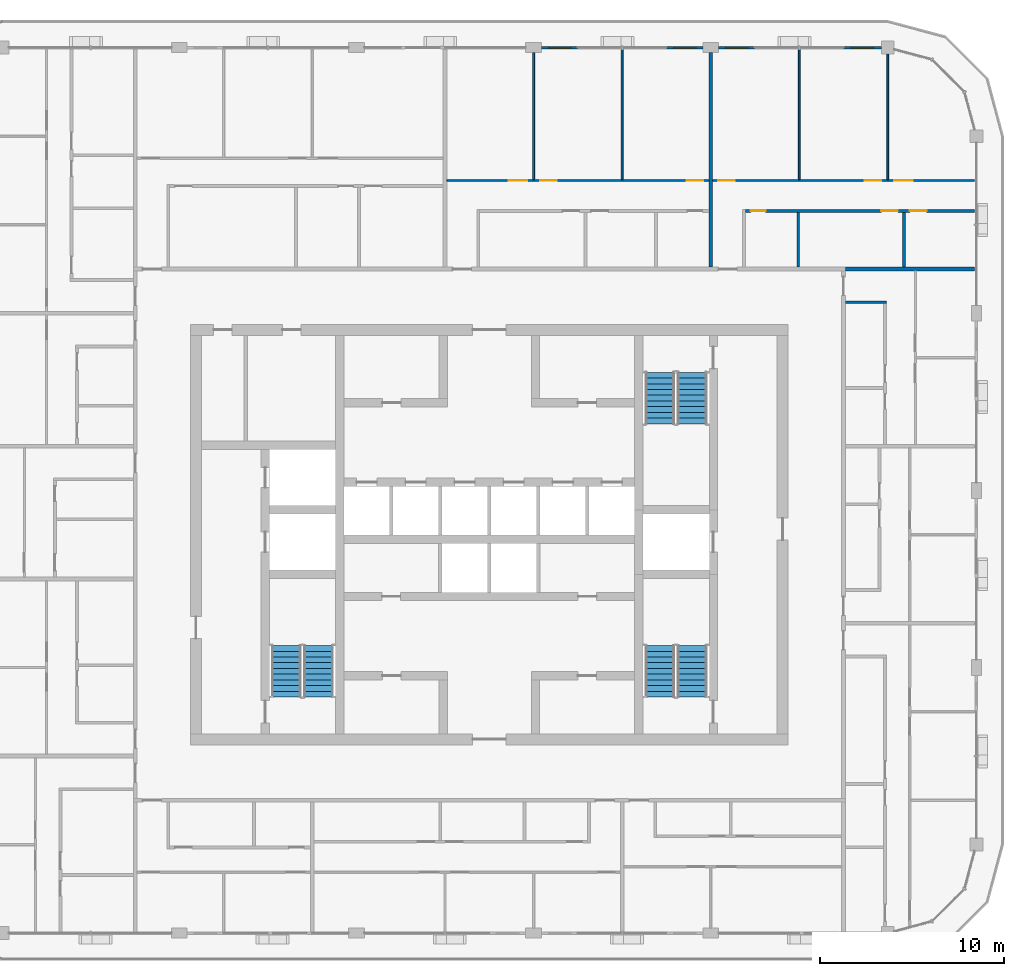
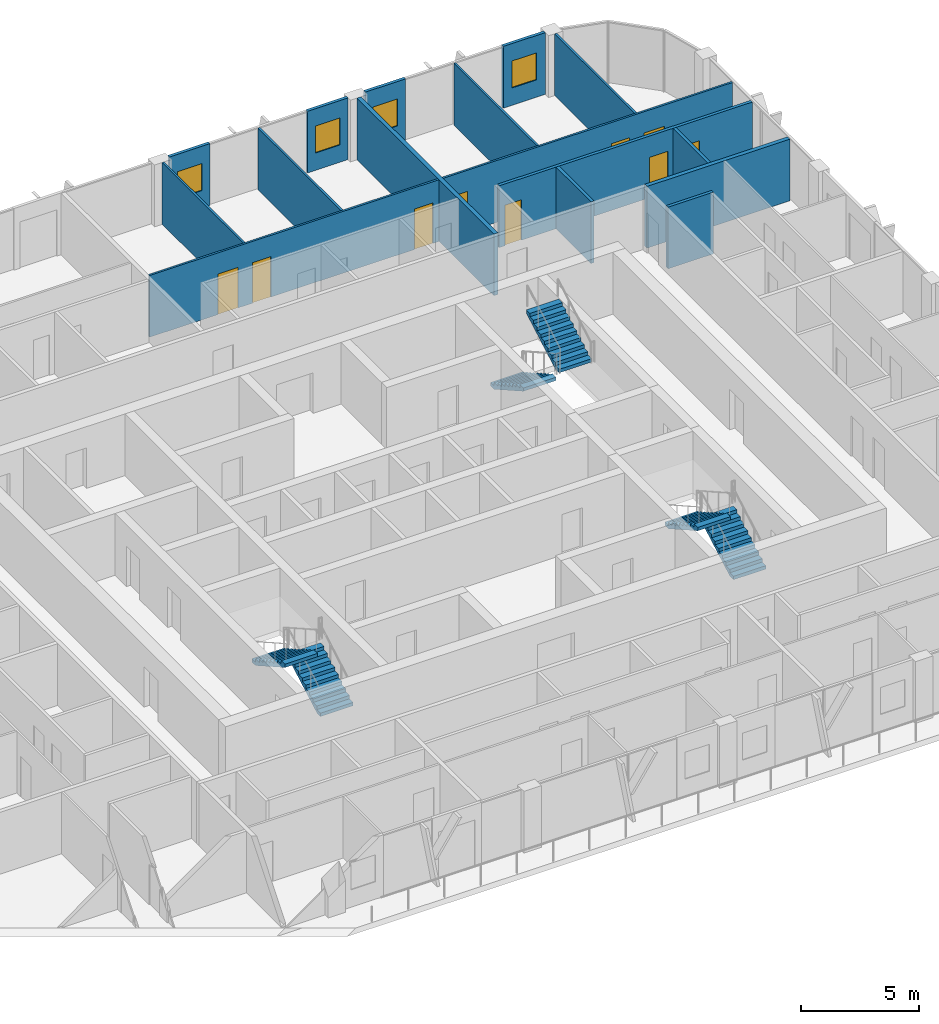
# One storey, part 15 of 21: 16 walls, 9 doors, 6 stair flights, 4 windows, 13 openings, 3 elements without a shape of their own.
"""IFC4 building model written with IfcOpenShell, lengths in metres."""

import ifcopenshell
import ifcopenshell.guid

model = None  # the IFC model being written
_history = None  # IfcOwnerHistory: only IFC2X3 demands one
_inside = {}  # id of a spatial element -> (the spatial element, [elements in it])
_under = {}  # id of a project, library or spatial element -> (it, [spatial elements below it])
_declared = {}  # id of a project -> (the project, [libraries it declares])
_typed = {}  # id of a type object -> (the type object, [elements of that type])
_made_of = {}  # id of a material, layer set ... -> (it, [elements and type objects made of it])


def new_model(schema):
    """Start an empty IFC model of exactly this schema.

    Asked for "IFC4X3", IfcOpenShell would pick the latest addendum, in which some entities
    have other attributes; the version numbers below select the first issue.
    IFC2X3 requires an IfcOwnerHistory on every rooted entity: one is made here for all.
    """
    global model, _history
    if schema == "IFC4X3":
        model = ifcopenshell.file(schema_version=(4, 3, 0, 0))
    else:
        model = ifcopenshell.file(schema=schema)
    _inside.clear()
    _under.clear()
    _declared.clear()
    _typed.clear()
    _made_of.clear()
    _history = None
    if model.schema == "IFC2X3":
        org = make("IfcOrganization", Name="unknown")
        user = make(
            "IfcPersonAndOrganization",
            ThePerson=make("IfcPerson", FamilyName="unknown"),
            TheOrganization=org,
        )
        app = make(
            "IfcApplication",
            ApplicationDeveloper=org,
            Version="unknown",
            ApplicationFullName="unknown",
            ApplicationIdentifier="unknown",
        )
        _history = make(
            "IfcOwnerHistory",
            OwningUser=user,
            OwningApplication=app,
            ChangeAction="ADDED",
            CreationDate=0,
        )
    return model


def make(cls, **values):
    """One entity of the class cls with the attributes given. An attribute that is None is left unset."""
    return model.create_entity(
        cls, **{name: value for name, value in values.items() if value is not None}
    )


def rooted(cls, **values):
    """An entity with a GlobalId (a new one), such as an element, a storey or a relation."""
    return make(cls, GlobalId=ifcopenshell.guid.new(), OwnerHistory=_history, **values)


def si_unit(unit_type, name, prefix=None):
    """IfcSIUnit, for example si_unit("LENGTHUNIT", "METRE", prefix="MILLI")."""
    return make("IfcSIUnit", UnitType=unit_type, Prefix=prefix, Name=name)


def assignment(units):
    """IfcUnitAssignment: the units of a project."""
    return None if units is None else make("IfcUnitAssignment", Units=units)


def point(xyz):
    """IfcCartesianPoint."""
    return None if xyz is None else make("IfcCartesianPoint", Coordinates=xyz)


def direction(xyz):
    """IfcDirection."""
    return None if xyz is None else make("IfcDirection", DirectionRatios=xyz)


def frame(location, z_axis=None, x_axis=None):
    """IfcAxis2Placement3D, a coordinate frame: its origin and axes. An axis left out is left unset."""
    return make(
        "IfcAxis2Placement3D",
        Location=point(location),
        Axis=direction(z_axis),
        RefDirection=direction(x_axis),
    )


def frame_2d(location, x_axis=None):
    """IfcAxis2Placement2D, a coordinate frame in the plane: its origin and x axis."""
    return make(
        "IfcAxis2Placement2D", Location=point(location), RefDirection=direction(x_axis)
    )


def origin():
    """The frame at (0, 0, 0) with its axes left unset."""
    return frame((0.0, 0.0, 0.0))


def place(relative_to, where):
    """IfcLocalPlacement: puts the frame where relative to a parent placement (None: the world)."""
    return make(
        "IfcLocalPlacement", PlacementRelTo=relative_to, RelativePlacement=where
    )


def context(
    kind, dimensions, precision=None, world=None, true_north=None, identifier=None
):
    """IfcGeometricRepresentationContext, for example the 3D "Model" context."""
    return make(
        "IfcGeometricRepresentationContext",
        ContextIdentifier=identifier,
        ContextType=kind,
        CoordinateSpaceDimension=dimensions,
        Precision=precision,
        WorldCoordinateSystem=world,
        TrueNorth=true_north,
    )


def subcontext(parent, identifier, kind, view, scale=None):
    """IfcGeometricRepresentationSubContext, for example "Body" below "Model"."""
    return make(
        "IfcGeometricRepresentationSubContext",
        ContextIdentifier=identifier,
        ContextType=kind,
        ParentContext=parent,
        TargetScale=scale,
        TargetView=view,
    )


def project(units=None, contexts=None):
    """IfcProject with its units and contexts."""
    return rooted(
        "IfcProject",
        Name="project",
        RepresentationContexts=contexts,
        UnitsInContext=assignment(units),
    )


def spatial(cls, under=None, at=None, **own):
    """A site, building, storey or space (cls), placed at a placement, below another one or the project."""
    s = rooted(cls, ObjectPlacement=at, **own)
    if under is not None:
        _under.setdefault(under.id(), (under, []))[1].append(s)
    return s


def polyline(points):
    """IfcPolyline through the points."""
    return make("IfcPolyline", Points=[point(p) for p in points])


def profile(cls, at=None, kind="AREA", **sizes):
    """A parametric profile (cls). Its sizes go by their IFC names, for example OverallWidth=200.0."""
    return make(cls, ProfileType=kind, Position=at, **sizes)


def rectangle(**sizes):
    """IfcRectangleProfileDef."""
    return profile("IfcRectangleProfileDef", **sizes)


def outline(outer, holes=None, kind="AREA"):
    """IfcArbitraryClosedProfileDef: a profile drawn as a closed curve; with holes, ...WithVoids."""
    if holes is None:
        return make("IfcArbitraryClosedProfileDef", ProfileType=kind, OuterCurve=outer)
    return make(
        "IfcArbitraryProfileDefWithVoids",
        ProfileType=kind,
        OuterCurve=outer,
        InnerCurves=holes,
    )


def extrude(swept, where, along, depth):
    """IfcExtrudedAreaSolid: the profile swept, set in the frame where, extruded along a direction by depth."""
    return make(
        "IfcExtrudedAreaSolid",
        SweptArea=swept,
        Position=where,
        ExtrudedDirection=direction(along),
        Depth=depth,
    )


def shape(context_of_items, identifier, shape_type, items):
    """IfcShapeRepresentation: the items that make up one representation, for example the "Body"."""
    return make(
        "IfcShapeRepresentation",
        ContextOfItems=context_of_items,
        RepresentationIdentifier=identifier,
        RepresentationType=shape_type,
        Items=items,
    )


def material(Name=None, Category=None):
    """IfcMaterial."""
    return make("IfcMaterial", Name=Name, Category=Category)


def layer(
    of_material, thickness, ventilated=None, Name=None, Category=None, Priority=None
):
    """IfcMaterialLayer: one layer of a wall or slab, of a material (None: an air gap)."""
    return make(
        "IfcMaterialLayer",
        Material=of_material,
        LayerThickness=thickness,
        IsVentilated=ventilated,
        Name=Name,
        Category=Category,
        Priority=Priority,
    )


def layer_set(layers, Name=None):
    """IfcMaterialLayerSet."""
    return make("IfcMaterialLayerSet", MaterialLayers=layers, LayerSetName=Name)


def made_of(thing, what):
    """Note that an element or type object is made of a material, layer set ...; save() writes the relation."""
    if what is not None:
        _made_of.setdefault(what.id(), (what, []))[1].append(thing)
    return thing


def type_object(cls, material=None, **own):
    """A type object (cls), such as IfcWallType, which elements share."""
    return made_of(rooted(cls, **own), material)


def element(
    cls,
    number,
    at=None,
    inside=None,
    cuts=None,
    type_object=None,
    material=None,
    context=None,
    identifier="Body",
    shape_type=None,
    held_by="IfcProductDefinitionShape",
    body=None,
    shapes=None,
    **own,
):
    """One element of the class cls, such as IfcWall. Its Tag is "e" and its number.

    at: its placement. inside: the storey or other place that contains it. cuts: it is an
    opening in that element (IfcRelVoidsElement). A single representation is given by context,
    identifier, shape_type and body (its items); several are given by shapes. held_by: the class
    of the entity that holds the representations. save() writes the other relations.
    """
    e = rooted(cls, Tag="e%d" % number, ObjectPlacement=at, **own)
    if body is not None:
        shapes = [shape(context, identifier, shape_type, body)]
    if shapes is not None:
        e.Representation = make(held_by, Representations=shapes)
    if inside is not None:
        _inside.setdefault(inside.id(), (inside, []))[1].append(e)
    if cuts is not None:
        rooted(
            "IfcRelVoidsElement", RelatingBuildingElement=cuts, RelatedOpeningElement=e
        )
    if type_object is not None:
        _typed.setdefault(type_object.id(), (type_object, []))[1].append(e)
    return made_of(e, material)


def fill(opening, filler):
    """IfcRelFillsElement: the door or window that sits in an opening."""
    return rooted(
        "IfcRelFillsElement",
        RelatingOpeningElement=opening,
        RelatedBuildingElement=filler,
    )


def aggregate(whole, parts):
    """IfcRelAggregates: a whole, such as a stair, and the parts it consists of."""
    return rooted("IfcRelAggregates", RelatingObject=whole, RelatedObjects=parts)


def save(model, path):
    """Write the relations noted so far, then the file.

    IfcRelAggregates (storeys below a building ...), IfcRelContainedInSpatialStructure (elements
    in a storey), IfcRelDefinesByType, IfcRelAssociatesMaterial and IfcRelDeclares: one each for
    every whole, place, type object, material and project.
    """
    for whole, parts in _under.values():
        aggregate(whole, parts)
    for where, things in _inside.values():
        rooted(
            "IfcRelContainedInSpatialStructure",
            RelatedElements=things,
            RelatingStructure=where,
        )
    for kind, things in _typed.values():
        rooted("IfcRelDefinesByType", RelatedObjects=things, RelatingType=kind)
    for what, things in _made_of.values():
        rooted("IfcRelAssociatesMaterial", RelatedObjects=things, RelatingMaterial=what)
    for by, libraries in _declared.values():
        rooted("IfcRelDeclares", RelatingContext=by, RelatedDefinitions=libraries)
    model.write(path)


model = new_model("IFC4")

# Units and contexts
model_context = context("Model", 3, precision=1e-05, world=origin(), true_north=direction((0.0, 1.0)))
body_context = subcontext(model_context, "Body", "Model", "MODEL_VIEW")
ifc_project = project(units=[si_unit("LENGTHUNIT", "METRE"), si_unit("AREAUNIT", "SQUARE_METRE"), si_unit("VOLUMEUNIT", "CUBIC_METRE"), si_unit("PLANEANGLEUNIT", "RADIAN"), si_unit("MASSUNIT", "GRAM", prefix="KILO")], contexts=[model_context])

# Site, building, storey
site_placement = place(None, origin())
site = spatial("IfcSite", under=ifc_project, at=site_placement, CompositionType="ELEMENT")
building_placement = place(site_placement, origin())
building = spatial("IfcBuilding", under=site, at=building_placement, Name="Madar Terraces", CompositionType="ELEMENT")
storey_placement = place(building_placement, frame((0.0, 0.0, 252.699951171875)))
storey = spatial("IfcBuildingStorey", under=building, at=storey_placement, Name="L66", CompositionType="ELEMENT", Elevation=252.699951171875)

# Wall, opening, window
ifc_material_1 = material(Name="Aluminium composite panel, black, over insulated backing", Category="aluminium")
ifc_layer_1 = layer(ifc_material_1, 0.14990234375)
ifc_layer_set_1 = layer_set([ifc_layer_1], Name="Facade bay panel 150")
wall_type_1 = type_object("IfcWallType", Name="Facade bay panel 150", PredefinedType="SOLIDWALL", material=ifc_layer_set_1)
wall_1_placement = place(storey_placement, frame((52.449951171875, 52.800048828125, 0.0), z_axis=(0.0, 0.0, 1.0), x_axis=(-1.0, 0.0, 0.0)))
wall_1 = element("IfcWall", 1, at=wall_1_placement, inside=storey, type_object=wall_type_1, Name="Facade bay panel", PredefinedType="SOLIDWALL", context=body_context, shape_type="SweptSolid", body=[
    extrude(rectangle(XDim=2.050048828125, YDim=0.14990234375, at=frame_2d((1.02490234375, 0.0))), origin(), (0.0, 0.0, 1.0), 3.199951171875),
])
opening_1_placement = place(wall_1_placement, frame((0.425048828125, 0.0, 0.89990234375)))
opening_1 = element("IfcOpeningElement", 2, at=opening_1_placement, cuts=wall_1, Name="Opening W1", PredefinedType="OPENING", context=body_context, shape_type="SweptSolid", body=[
    extrude(rectangle(XDim=1.199951171875, YDim=1.39990234375, at=frame_2d((0.60009765625, 0.699951171875))), frame((0.0, 0.0849609375, 0.0), z_axis=(0.0, -1.0, 0.0), x_axis=(1.0, 0.0, 0.0)), (0.0, 0.0, 1.0), 0.169921875),
])
ifc_material_2 = material(Name="Glass, clear, with black aluminium frame", Category="aluminium")
window_type = type_object("IfcWindowType", Name="Vent window 1200 x 1400", PartitioningType="SINGLE_PANEL", PredefinedType="WINDOW", material=ifc_material_2)
window_1_placement = place(opening_1_placement, origin())
window_1 = element("IfcWindow", 3, at=window_1_placement, inside=storey, type_object=window_type, Name="Operable vent window", OverallHeight=1.39990234375, OverallWidth=1.199951171875, PartitioningType="SINGLE_PANEL", PredefinedType="WINDOW", context=body_context, shape_type="SweptSolid", body=[
    extrude(rectangle(XDim=1.199951171875, YDim=1.39990234375, at=frame_2d((0.60009765625, 0.699951171875))), frame((0.0, 0.030029296875, 0.0), z_axis=(0.0, -1.0, 0.0), x_axis=(1.0, 0.0, 0.0)), (0.0, 0.0, 1.0), 0.06005859375),
])
fill(opening_1, window_1)

wall_2_placement = place(storey_placement, frame((45.60009765625, 52.800048828125, 0.0), z_axis=(0.0, 0.0, 1.0), x_axis=(-1.0, 0.0, 0.0)))
wall_2 = element("IfcWall", 4, at=wall_2_placement, inside=storey, type_object=wall_type_1, Name="Facade bay panel", PredefinedType="SOLIDWALL", context=body_context, shape_type="SweptSolid", body=[
    extrude(rectangle(XDim=1.97509765625, YDim=0.14990234375, at=frame_2d((0.987548828125, 0.0))), origin(), (0.0, 0.0, 1.0), 3.199951171875),
])
opening_2_placement = place(wall_2_placement, frame((0.387451171875, 0.0, 0.89990234375)))
opening_2 = element("IfcOpeningElement", 5, at=opening_2_placement, cuts=wall_2, Name="Opening W1", PredefinedType="OPENING", context=body_context, shape_type="SweptSolid", body=[
    extrude(rectangle(XDim=1.199951171875, YDim=1.39990234375, at=frame_2d((0.60009765625, 0.699951171875))), frame((0.0, 0.0849609375, 0.0), z_axis=(0.0, -1.0, 0.0), x_axis=(1.0, 0.0, 0.0)), (0.0, 0.0, 1.0), 0.169921875),
])
window_2_placement = place(opening_2_placement, origin())
window_2 = element("IfcWindow", 6, at=window_2_placement, inside=storey, type_object=window_type, Name="Operable vent window", OverallHeight=1.39990234375, OverallWidth=1.199951171875, PartitioningType="SINGLE_PANEL", PredefinedType="WINDOW", context=body_context, shape_type="SweptSolid", body=[
    extrude(rectangle(XDim=1.199951171875, YDim=1.39990234375, at=frame_2d((0.60009765625, 0.699951171875))), frame((0.0, 0.030029296875, 0.0), z_axis=(0.0, -1.0, 0.0), x_axis=(1.0, 0.0, 0.0)), (0.0, 0.0, 1.0), 0.06005859375),
])
fill(opening_2, window_2)

wall_3_placement = place(storey_placement, frame((42.77490234375, 52.800048828125, 0.0), z_axis=(0.0, 0.0, 1.0), x_axis=(-1.0, 0.0, 0.0)))
wall_3 = element("IfcWall", 7, at=wall_3_placement, inside=storey, type_object=wall_type_1, Name="Facade bay panel", PredefinedType="SOLIDWALL", context=body_context, shape_type="SweptSolid", body=[
    extrude(rectangle(XDim=1.974853515625, YDim=0.14990234375, at=frame_2d((0.9873046875, 0.0))), origin(), (0.0, 0.0, 1.0), 3.199951171875),
])
opening_3_placement = place(wall_3_placement, frame((0.387451171875, 0.0, 0.89990234375)))
opening_3 = element("IfcOpeningElement", 8, at=opening_3_placement, cuts=wall_3, Name="Opening W1", PredefinedType="OPENING", context=body_context, shape_type="SweptSolid", body=[
    extrude(rectangle(XDim=1.199951171875, YDim=1.39990234375, at=frame_2d((0.60009765625, 0.699951171875))), frame((0.0, 0.0849609375, 0.0), z_axis=(0.0, -1.0, 0.0), x_axis=(1.0, 0.0, 0.0)), (0.0, 0.0, 1.0), 0.169921875),
])
window_3_placement = place(opening_3_placement, origin())
window_3 = element("IfcWindow", 9, at=window_3_placement, inside=storey, type_object=window_type, Name="Operable vent window", OverallHeight=1.39990234375, OverallWidth=1.199951171875, PartitioningType="SINGLE_PANEL", PredefinedType="WINDOW", context=body_context, shape_type="SweptSolid", body=[
    extrude(rectangle(XDim=1.199951171875, YDim=1.39990234375, at=frame_2d((0.60009765625, 0.699951171875))), frame((0.0, 0.030029296875, 0.0), z_axis=(0.0, -1.0, 0.0), x_axis=(1.0, 0.0, 0.0)), (0.0, 0.0, 1.0), 0.06005859375),
])
fill(opening_3, window_3)

wall_4_placement = place(storey_placement, frame((36.0, 52.800048828125, 0.0), z_axis=(0.0, 0.0, 1.0), x_axis=(-1.0, 0.0, 0.0)))
wall_4 = element("IfcWall", 10, at=wall_4_placement, inside=storey, type_object=wall_type_1, Name="Facade bay panel", PredefinedType="SOLIDWALL", context=body_context, shape_type="SweptSolid", body=[
    extrude(rectangle(XDim=1.97509765625, YDim=0.14990234375, at=frame_2d((0.987548828125, 0.0))), origin(), (0.0, 0.0, 1.0), 3.199951171875),
])
opening_4_placement = place(wall_4_placement, frame((0.387451171875, 0.0, 0.89990234375)))
opening_4 = element("IfcOpeningElement", 11, at=opening_4_placement, cuts=wall_4, Name="Opening W1", PredefinedType="OPENING", context=body_context, shape_type="SweptSolid", body=[
    extrude(rectangle(XDim=1.199951171875, YDim=1.39990234375, at=frame_2d((0.60009765625, 0.699951171875))), frame((0.0, 0.0849609375, 0.0), z_axis=(0.0, -1.0, 0.0), x_axis=(1.0, 0.0, 0.0)), (0.0, 0.0, 1.0), 0.169921875),
])
window_4_placement = place(opening_4_placement, origin())
window_4 = element("IfcWindow", 12, at=window_4_placement, inside=storey, type_object=window_type, Name="Operable vent window", OverallHeight=1.39990234375, OverallWidth=1.199951171875, PartitioningType="SINGLE_PANEL", PredefinedType="WINDOW", context=body_context, shape_type="SweptSolid", body=[
    extrude(rectangle(XDim=1.199951171875, YDim=1.39990234375, at=frame_2d((0.60009765625, 0.699951171875))), frame((0.0, 0.030029296875, 0.0), z_axis=(0.0, -1.0, 0.0), x_axis=(1.0, 0.0, 0.0)), (0.0, 0.0, 1.0), 0.06005859375),
])
fill(opening_4, window_4)

# Walls
ifc_material_3 = material(Name="Gypsum board on steel studs", Category="steel")
ifc_layer_2 = layer(ifc_material_3, 0.10009765625)
ifc_layer_set_2 = layer_set([ifc_layer_2], Name="Flat partition 100")
wall_type_2 = type_object("IfcWallType", Name="Flat partition 100", PredefinedType="PARTITIONING", material=ifc_layer_set_2)
wall_5_placement = place(storey_placement, frame((48.0, 45.64990234375, 0.0), z_axis=(0.0, 0.0, 1.0), x_axis=(0.0, 1.0, 0.0)))
element("IfcWall", 13, at=wall_5_placement, inside=storey, type_object=wall_type_2, Name="Flat partition 100", PredefinedType="PARTITIONING", context=body_context, shape_type="SweptSolid", body=[
    extrude(rectangle(XDim=7.050048828125, YDim=0.10009765625, at=frame_2d((3.52490234375, 0.0))), origin(), (0.0, 0.0, 1.0), 3.199951171875),
])
wall_6_placement = place(storey_placement, frame((52.800048828125, 45.64990234375, 0.0), z_axis=(0.0, 0.0, 1.0), x_axis=(0.0, 1.0, 0.0)))
element("IfcWall", 14, at=wall_6_placement, inside=storey, type_object=wall_type_2, Name="Flat partition 100", PredefinedType="PARTITIONING", context=body_context, shape_type="SweptSolid", body=[
    extrude(rectangle(XDim=6.800048828125, YDim=0.10009765625, at=frame_2d((3.39990234375, 0.0))), origin(), (0.0, 0.0, 1.0), 3.199951171875),
])

# Wall, openings, doors
wall_7_placement = place(storey_placement, frame((43.300048828125, 45.60009765625, 0.0), z_axis=(0.0, 0.0, 1.0), x_axis=(1.0, 0.0, 0.0)))
wall_7 = element("IfcWall", 15, at=wall_7_placement, inside=storey, type_object=wall_type_2, Name="Flat partition 100", PredefinedType="PARTITIONING", context=body_context, shape_type="SweptSolid", body=[
    extrude(rectangle(XDim=14.199951171875, YDim=0.10009765625, at=frame_2d((7.10009765625, 0.0))), origin(), (0.0, 0.0, 1.0), 3.199951171875),
])
opening_5_placement = place(wall_7_placement, frame((0.300048828125, 0.0, 0.0)))
opening_5 = element("IfcOpeningElement", 16, at=opening_5_placement, cuts=wall_7, Name="Opening D2", PredefinedType="OPENING", context=body_context, shape_type="SweptSolid", body=[
    extrude(rectangle(XDim=0.89990234375, YDim=2.10009765625, at=frame_2d((0.449951171875, 1.050048828125))), frame((0.0, 0.06005859375, 0.0), z_axis=(0.0, -1.0, 0.0), x_axis=(1.0, 0.0, 0.0)), (0.0, 0.0, 1.0), 0.1201171875),
])
opening_6_placement = place(wall_7_placement, frame((8.25, 0.0, 0.0)))
opening_6 = element("IfcOpeningElement", 17, at=opening_6_placement, cuts=wall_7, Name="Opening D2", PredefinedType="OPENING", context=body_context, shape_type="SweptSolid", body=[
    extrude(rectangle(XDim=0.89990234375, YDim=2.10009765625, at=frame_2d((0.449951171875, 1.050048828125))), frame((0.0, 0.06005859375, 0.0), z_axis=(0.0, -1.0, 0.0), x_axis=(1.0, 0.0, 0.0)), (0.0, 0.0, 1.0), 0.1201171875),
])
opening_7_placement = place(wall_7_placement, frame((9.85009765625, 0.0, 0.0)))
opening_7 = element("IfcOpeningElement", 18, at=opening_7_placement, cuts=wall_7, Name="Opening D3", PredefinedType="OPENING", context=body_context, shape_type="SweptSolid", body=[
    extrude(rectangle(XDim=1.0, YDim=2.10009765625, at=frame_2d((0.5, 1.050048828125))), frame((0.0, 0.06005859375, 0.0), z_axis=(0.0, -1.0, 0.0), x_axis=(1.0, 0.0, 0.0)), (0.0, 0.0, 1.0), 0.1201171875),
])
ifc_material_4 = material(Name="Timber door leaf", Category="wood")
door_type_1 = type_object("IfcDoorType", Name="Flat living room door 1000", OperationType="NOTDEFINED", PredefinedType="DOOR", material=ifc_material_4)
door_1_placement = place(opening_7_placement, origin())
door_1 = element("IfcDoor", 19, at=door_1_placement, inside=storey, type_object=door_type_1, Name="Flat living room door 1000", OperationType="SINGLE_SWING_LEFT", OverallHeight=2.10009765625, OverallWidth=1.0, PredefinedType="DOOR", context=body_context, shape_type="SweptSolid", body=[
    extrude(rectangle(XDim=1.0, YDim=2.10009765625, at=frame_2d((0.5, 1.050048828125))), frame((0.0, 0.02490234375, 0.0), z_axis=(0.0, -1.0, 0.0), x_axis=(1.0, 0.0, 0.0)), (0.0, 0.0, 1.0), 0.050048828125),
])
fill(opening_7, door_1)
ifc_material_5 = material(Name="Timber door leaf", Category="wood")
door_type_2 = type_object("IfcDoorType", Name="Flat room door 900", OperationType="NOTDEFINED", PredefinedType="DOOR", material=ifc_material_5)
door_2_placement = place(opening_5_placement, origin())
door_2 = element("IfcDoor", 20, at=door_2_placement, inside=storey, type_object=door_type_2, Name="Flat room door 900", OperationType="SINGLE_SWING_LEFT", OverallHeight=2.10009765625, OverallWidth=0.89990234375, PredefinedType="DOOR", context=body_context, shape_type="SweptSolid", body=[
    extrude(rectangle(XDim=0.89990234375, YDim=2.10009765625, at=frame_2d((0.449951171875, 1.050048828125))), frame((0.0, 0.02490234375, 0.0), z_axis=(0.0, -1.0, 0.0), x_axis=(1.0, 0.0, 0.0)), (0.0, 0.0, 1.0), 0.050048828125),
])
fill(opening_5, door_2)
door_3_placement = place(opening_6_placement, origin())
door_3 = element("IfcDoor", 21, at=door_3_placement, inside=storey, type_object=door_type_2, Name="Flat room door 900", OperationType="SINGLE_SWING_RIGHT", OverallHeight=2.10009765625, OverallWidth=0.89990234375, PredefinedType="DOOR", context=body_context, shape_type="SweptSolid", body=[
    extrude(rectangle(XDim=0.89990234375, YDim=2.10009765625, at=frame_2d((0.449951171875, 1.050048828125))), frame((0.0, 0.02490234375, 0.0), z_axis=(0.0, -1.0, 0.0), x_axis=(1.0, 0.0, 0.0)), (0.0, 0.0, 1.0), 0.050048828125),
])
fill(opening_6, door_3)

# Walls
wall_8_placement = place(storey_placement, frame((33.60009765625, 45.64990234375, 0.0), z_axis=(0.0, 0.0, 1.0), x_axis=(0.0, 1.0, 0.0)))
element("IfcWall", 22, at=wall_8_placement, inside=storey, type_object=wall_type_2, Name="Flat partition 100", PredefinedType="PARTITIONING", context=body_context, shape_type="SweptSolid", body=[
    extrude(rectangle(XDim=6.875, YDim=0.10009765625, at=frame_2d((3.4375, 0.0))), origin(), (0.0, 0.0, 1.0), 3.199951171875),
])
wall_9_placement = place(storey_placement, frame((38.39990234375, 45.64990234375, 0.0), z_axis=(0.0, 0.0, 1.0), x_axis=(0.0, 1.0, 0.0)))
element("IfcWall", 23, at=wall_9_placement, inside=storey, type_object=wall_type_2, Name="Flat partition 100", PredefinedType="PARTITIONING", context=body_context, shape_type="SweptSolid", body=[
    extrude(rectangle(XDim=7.050048828125, YDim=0.10009765625, at=frame_2d((3.52490234375, 0.0))), origin(), (0.0, 0.0, 1.0), 3.199951171875),
])

# Wall, openings, doors
wall_10_placement = place(storey_placement, frame((28.89990234375, 45.60009765625, 0.0), z_axis=(0.0, 0.0, 1.0), x_axis=(1.0, 0.0, 0.0)))
wall_10 = element("IfcWall", 24, at=wall_10_placement, inside=storey, type_object=wall_type_2, Name="Flat partition 100", PredefinedType="PARTITIONING", context=body_context, shape_type="SweptSolid", body=[
    extrude(rectangle(XDim=14.2001953125, YDim=0.10009765625, at=frame_2d((7.10009765625, 0.0))), origin(), (0.0, 0.0, 1.0), 3.199951171875),
])
opening_8_placement = place(wall_10_placement, frame((3.35009765625, 0.0, 0.0)))
opening_8 = element("IfcOpeningElement", 25, at=opening_8_placement, cuts=wall_10, Name="Opening D3", PredefinedType="OPENING", context=body_context, shape_type="SweptSolid", body=[
    extrude(rectangle(XDim=1.0, YDim=2.10009765625, at=frame_2d((0.5, 1.050048828125))), frame((0.0, 0.06005859375, 0.0), z_axis=(0.0, -1.0, 0.0), x_axis=(1.0, 0.0, 0.0)), (0.0, 0.0, 1.0), 0.1201171875),
])
opening_9_placement = place(wall_10_placement, frame((5.050048828125, 0.0, 0.0)))
opening_9 = element("IfcOpeningElement", 26, at=opening_9_placement, cuts=wall_10, Name="Opening D2", PredefinedType="OPENING", context=body_context, shape_type="SweptSolid", body=[
    extrude(rectangle(XDim=0.89990234375, YDim=2.10009765625, at=frame_2d((0.449951171875, 1.050048828125))), frame((0.0, 0.06005859375, 0.0), z_axis=(0.0, -1.0, 0.0), x_axis=(1.0, 0.0, 0.0)), (0.0, 0.0, 1.0), 0.1201171875),
])
opening_10_placement = place(wall_10_placement, frame((13.0, 0.0, 0.0)))
opening_10 = element("IfcOpeningElement", 27, at=opening_10_placement, cuts=wall_10, Name="Opening D2", PredefinedType="OPENING", context=body_context, shape_type="SweptSolid", body=[
    extrude(rectangle(XDim=0.89990234375, YDim=2.10009765625, at=frame_2d((0.449951171875, 1.050048828125))), frame((0.0, 0.06005859375, 0.0), z_axis=(0.0, -1.0, 0.0), x_axis=(1.0, 0.0, 0.0)), (0.0, 0.0, 1.0), 0.1201171875),
])
door_4_placement = place(opening_8_placement, origin())
door_4 = element("IfcDoor", 28, at=door_4_placement, inside=storey, type_object=door_type_1, Name="Flat living room door 1000", OperationType="SINGLE_SWING_RIGHT", OverallHeight=2.10009765625, OverallWidth=1.0, PredefinedType="DOOR", context=body_context, shape_type="SweptSolid", body=[
    extrude(rectangle(XDim=1.0, YDim=2.10009765625, at=frame_2d((0.5, 1.050048828125))), frame((0.0, 0.02490234375, 0.0), z_axis=(0.0, -1.0, 0.0), x_axis=(1.0, 0.0, 0.0)), (0.0, 0.0, 1.0), 0.050048828125),
])
fill(opening_8, door_4)
door_5_placement = place(opening_9_placement, origin())
door_5 = element("IfcDoor", 29, at=door_5_placement, inside=storey, type_object=door_type_2, Name="Flat room door 900", OperationType="SINGLE_SWING_LEFT", OverallHeight=2.10009765625, OverallWidth=0.89990234375, PredefinedType="DOOR", context=body_context, shape_type="SweptSolid", body=[
    extrude(rectangle(XDim=0.89990234375, YDim=2.10009765625, at=frame_2d((0.449951171875, 1.050048828125))), frame((0.0, 0.02490234375, 0.0), z_axis=(0.0, -1.0, 0.0), x_axis=(1.0, 0.0, 0.0)), (0.0, 0.0, 1.0), 0.050048828125),
])
fill(opening_9, door_5)
door_6_placement = place(opening_10_placement, origin())
door_6 = element("IfcDoor", 30, at=door_6_placement, inside=storey, type_object=door_type_2, Name="Flat room door 900", OperationType="SINGLE_SWING_RIGHT", OverallHeight=2.10009765625, OverallWidth=0.89990234375, PredefinedType="DOOR", context=body_context, shape_type="SweptSolid", body=[
    extrude(rectangle(XDim=0.89990234375, YDim=2.10009765625, at=frame_2d((0.449951171875, 1.050048828125))), frame((0.0, 0.02490234375, 0.0), z_axis=(0.0, -1.0, 0.0), x_axis=(1.0, 0.0, 0.0)), (0.0, 0.0, 1.0), 0.050048828125),
])
fill(opening_10, door_6)

# Walls
ifc_material_6 = material(Name="Lightweight blockwork", Category="masonry")
ifc_layer_3 = layer(ifc_material_6, 0.199951171875)
ifc_layer_set_3 = layer_set([ifc_layer_3], Name="Flat party and entrance wall 200")
wall_type_3 = type_object("IfcWallType", Name="Flat party and entrance wall 200", PredefinedType="PARTITIONING", material=ifc_layer_set_3)
wall_11_placement = place(storey_placement, frame((50.5, 40.800048828125, 0.0), z_axis=(0.0, 0.0, 1.0), x_axis=(1.0, 0.0, 0.0)))
element("IfcWall", 31, at=wall_11_placement, inside=storey, type_object=wall_type_3, Name="Flat party and entrance wall 200", PredefinedType="PARTITIONING", context=body_context, shape_type="SweptSolid", body=[
    extrude(rectangle(XDim=7.0, YDim=0.199951171875, at=frame_2d((3.5, 0.0))), origin(), (0.0, 0.0, 1.0), 3.199951171875),
])
wall_12_placement = place(storey_placement, frame((43.199951171875, 52.52490234375, 0.0), z_axis=(0.0, 0.0, 1.0), x_axis=(0.0, -1.0, 0.0)))
element("IfcWall", 32, at=wall_12_placement, inside=storey, type_object=wall_type_3, Name="Flat party and entrance wall 200", PredefinedType="PARTITIONING", context=body_context, shape_type="SweptSolid", body=[
    extrude(rectangle(XDim=11.625, YDim=0.199951171875, at=frame_2d((5.8125, 0.0))), origin(), (0.0, 0.0, 1.0), 3.199951171875),
])
ifc_material_7 = material(Name="Lightweight blockwork", Category="masonry")
ifc_layer_4 = layer(ifc_material_7, 0.14990234375)
ifc_layer_set_4 = layer_set([ifc_layer_4], Name="Flat wet-room partition 150")
wall_type_4 = type_object("IfcWallType", Name="Flat wet-room partition 150", PredefinedType="PARTITIONING", material=ifc_layer_set_4)
wall_13_placement = place(storey_placement, frame((50.5, 39.0, 0.0), z_axis=(0.0, 0.0, 1.0), x_axis=(1.0, 0.0, 0.0)))
element("IfcWall", 33, at=wall_13_placement, inside=storey, type_object=wall_type_4, Name="Flat wet-room partition 150", PredefinedType="PARTITIONING", context=body_context, shape_type="SweptSolid", body=[
    extrude(rectangle(XDim=2.22509765625, YDim=0.14990234375, at=frame_2d((1.112548828125, 0.0))), origin(), (0.0, 0.0, 1.0), 3.199951171875),
])
for number, where, z_axis, x_axis, name in (
    (34, (47.9423828125, 40.89990234375, 0.0), (0.0, 0.0, 1.0), (0.0, 1.0, 0.0), "Flat wet-room partition 150"),
    (35, (53.677001953125, 40.89990234375, 0.0), (0.0, 0.0, 1.0), (0.0, 1.0, 0.0), "Flat wet-room partition 150"),
):
    element("IfcWall", number, at=place(storey_placement, frame(where, z_axis=z_axis, x_axis=x_axis)), inside=storey, type_object=wall_type_4, Name=name, PredefinedType="PARTITIONING", context=body_context, shape_type="SweptSolid", body=[
        extrude(rectangle(XDim=2.97509765625, YDim=0.14990234375, at=frame_2d((1.487548828125, 0.0))), origin(), (0.0, 0.0, 1.0), 3.199951171875),
    ])

# Wall, openings, doors
wall_14_placement = place(storey_placement, frame((57.5, 43.949951171875, 0.0), z_axis=(0.0, 0.0, 1.0), x_axis=(-1.0, 0.0, 0.0)))
wall_14 = element("IfcWall", 36, at=wall_14_placement, inside=storey, type_object=wall_type_4, Name="Flat wet-room partition 150", PredefinedType="PARTITIONING", context=body_context, shape_type="SweptSolid", body=[
    extrude(rectangle(XDim=12.425048828125, YDim=0.14990234375, at=frame_2d((6.21240234375, 0.0))), origin(), (0.0, 0.0, 1.0), 3.199951171875),
])
opening_11_placement = place(wall_14_placement, frame((11.324951171875, 0.0, 0.0)))
opening_11 = element("IfcOpeningElement", 37, at=opening_11_placement, cuts=wall_14, Name="Opening D4", PredefinedType="OPENING", context=body_context, shape_type="SweptSolid", body=[
    extrude(rectangle(XDim=0.800048828125, YDim=2.10009765625, at=frame_2d((0.39990234375, 1.050048828125))), frame((0.0, 0.0849609375, 0.0), z_axis=(0.0, -1.0, 0.0), x_axis=(1.0, 0.0, 0.0)), (0.0, 0.0, 1.0), 0.169921875),
])
opening_12_placement = place(wall_14_placement, frame((4.148193359375, 0.0, 0.0)))
opening_12 = element("IfcOpeningElement", 38, at=opening_12_placement, cuts=wall_14, Name="Opening D2", PredefinedType="OPENING", context=body_context, shape_type="SweptSolid", body=[
    extrude(rectangle(XDim=0.89990234375, YDim=2.10009765625, at=frame_2d((0.449951171875, 1.050048828125))), frame((0.0, 0.0849609375, 0.0), z_axis=(0.0, -1.0, 0.0), x_axis=(1.0, 0.0, 0.0)), (0.0, 0.0, 1.0), 0.169921875),
])
opening_13_placement = place(wall_14_placement, frame((2.59814453125, 0.0, 0.0)))
opening_13 = element("IfcOpeningElement", 39, at=opening_13_placement, cuts=wall_14, Name="Opening D5", PredefinedType="OPENING", context=body_context, shape_type="SweptSolid", body=[
    extrude(rectangle(XDim=0.89990234375, YDim=2.10009765625, at=frame_2d((0.449951171875, 1.050048828125))), frame((0.0, 0.0849609375, 0.0), z_axis=(0.0, -1.0, 0.0), x_axis=(1.0, 0.0, 0.0)), (0.0, 0.0, 1.0), 0.169921875),
])
ifc_material_8 = material(Name="Timber door leaf", Category="wood")
door_type_3 = type_object("IfcDoorType", Name="Flat accessible bathroom door 900", OperationType="NOTDEFINED", PredefinedType="DOOR", material=ifc_material_8)
door_7_placement = place(opening_13_placement, origin())
door_7 = element("IfcDoor", 40, at=door_7_placement, inside=storey, type_object=door_type_3, Name="Flat accessible bathroom door 900", OperationType="SINGLE_SWING_RIGHT", OverallHeight=2.10009765625, OverallWidth=0.89990234375, PredefinedType="DOOR", context=body_context, shape_type="SweptSolid", body=[
    extrude(rectangle(XDim=0.89990234375, YDim=2.10009765625, at=frame_2d((0.449951171875, 1.050048828125))), frame((0.0, 0.02490234375, 0.0), z_axis=(0.0, -1.0, 0.0), x_axis=(1.0, 0.0, 0.0)), (0.0, 0.0, 1.0), 0.050048828125),
])
fill(opening_13, door_7)
ifc_material_9 = material(Name="Timber door leaf", Category="wood")
door_type_4 = type_object("IfcDoorType", Name="Flat bathroom door 800", OperationType="NOTDEFINED", PredefinedType="DOOR", material=ifc_material_9)
door_8_placement = place(opening_11_placement, origin())
door_8 = element("IfcDoor", 41, at=door_8_placement, inside=storey, type_object=door_type_4, Name="Flat bathroom door 800", OperationType="SINGLE_SWING_RIGHT", OverallHeight=2.10009765625, OverallWidth=0.800048828125, PredefinedType="DOOR", context=body_context, shape_type="SweptSolid", body=[
    extrude(rectangle(XDim=0.800048828125, YDim=2.10009765625, at=frame_2d((0.39990234375, 1.050048828125))), frame((0.0, 0.02490234375, 0.0), z_axis=(0.0, -1.0, 0.0), x_axis=(1.0, 0.0, 0.0)), (0.0, 0.0, 1.0), 0.050048828125),
])
fill(opening_11, door_8)
door_9_placement = place(opening_12_placement, origin())
door_9 = element("IfcDoor", 42, at=door_9_placement, inside=storey, type_object=door_type_2, Name="Flat room door 900", OperationType="SINGLE_SWING_LEFT", OverallHeight=2.10009765625, OverallWidth=0.89990234375, PredefinedType="DOOR", context=body_context, shape_type="SweptSolid", body=[
    extrude(rectangle(XDim=0.89990234375, YDim=2.10009765625, at=frame_2d((0.449951171875, 1.050048828125))), frame((0.0, 0.02490234375, 0.0), z_axis=(0.0, -1.0, 0.0), x_axis=(1.0, 0.0, 0.0)), (0.0, 0.0, 1.0), 0.050048828125),
])
fill(opening_12, door_9)

# Stair, stair flights
ifc_material_10 = material(Name="Concrete C50/60", Category="concrete")
stair_type_1 = type_object("IfcStairType", Name="Stair ST1 protected exit", PredefinedType="HALF_TURN_STAIR", material=ifc_material_10)
stair_1_placement = place(storey_placement, origin())
stair_1 = element("IfcStair", 43, at=stair_1_placement, inside=storey, type_object=stair_type_1, Name="L66 Protected Exit Stair ST1", PredefinedType="HALF_TURN_STAIR")
ifc_material_11 = material(Name="Concrete C50/60", Category="concrete")
stair_flight_type_1 = type_object("IfcStairFlightType", Name="Stair flight ST1-F4, 1600 wide, 10 risers", PredefinedType="STRAIGHT", material=ifc_material_11)
stair_flight_1_placement = place(storey_placement, frame((21.949951171875, 17.60009765625, 0.0), z_axis=(0.0, 0.0, 1.0), x_axis=(0.0, 1.0, 0.0)))
stair_flight_1 = element("IfcStairFlight", 44, at=stair_flight_1_placement, type_object=stair_flight_type_1, Name="ST1 flight 1", NumberOfRisers=10, NumberOfTreads=9, PredefinedType="STRAIGHT", RiserHeight=0.175, TreadLength=0.31, context=body_context, shape_type="SweptSolid", body=[
    extrude(outline(polyline([(0.0, 0.0), (0.0, 0.175048828125), (0.31005859375, 0.175048828125), (0.31005859375, 0.35009765625), (0.6201171875, 0.35009765625), (0.6201171875, 0.52490234375), (0.929931640625, 0.52490234375), (0.929931640625, 0.699951171875), (1.239990234375, 0.699951171875), (1.239990234375, 0.875), (1.550048828125, 0.875), (1.550048828125, 1.050048828125), (1.860107421875, 1.050048828125), (1.860107421875, 1.22509765625), (2.169921875, 1.22509765625), (2.169921875, 1.39990234375), (2.47998046875, 1.39990234375), (2.47998046875, 1.574951171875), (2.7900390625, 1.574951171875), (2.7900390625, 1.75), (2.7900390625, 1.40283203125), (0.304931640625, 0.0), (0.0, 0.0)])), frame((0.0, 0.800048828125, 0.0), z_axis=(0.0, -1.0, 0.0), x_axis=(1.0, 0.0, 0.0)), (0.0, 0.0, 1.0), 1.60009765625),
])
stair_flight_2_placement = place(storey_placement, frame((20.199951171875, 20.389892578125, 1.75), z_axis=(0.0, 0.0, 1.0), x_axis=(0.0, -1.0, 0.0)))
stair_flight_2 = element("IfcStairFlight", 45, at=stair_flight_2_placement, type_object=stair_flight_type_1, Name="ST1 flight 2", NumberOfRisers=10, NumberOfTreads=9, PredefinedType="STRAIGHT", RiserHeight=0.175, TreadLength=0.31, context=body_context, shape_type="SweptSolid", body=[
    extrude(outline(polyline([(0.0, 0.0), (0.0, 0.175048828125), (0.31005859375, 0.175048828125), (0.31005859375, 0.35009765625), (0.6201171875, 0.35009765625), (0.6201171875, 0.52490234375), (0.929931640625, 0.52490234375), (0.929931640625, 0.699951171875), (1.239990234375, 0.699951171875), (1.239990234375, 0.875), (1.550048828125, 0.875), (1.550048828125, 1.050048828125), (1.860107421875, 1.050048828125), (1.860107421875, 1.22509765625), (2.169921875, 1.22509765625), (2.169921875, 1.39990234375), (2.47998046875, 1.39990234375), (2.47998046875, 1.574951171875), (2.7900390625, 1.574951171875), (2.7900390625, 1.75), (2.7900390625, 1.40283203125), (0.304931640625, 0.0), (0.0, 0.0)])), frame((0.0, 0.800048828125, 0.0), z_axis=(0.0, -1.0, 0.0), x_axis=(1.0, 0.0, 0.0)), (0.0, 0.0, 1.0), 1.60009765625),
])
aggregate(stair_1, [stair_flight_1, stair_flight_2])

ifc_material_12 = material(Name="Concrete C50/60", Category="concrete")
stair_type_2 = type_object("IfcStairType", Name="Stair ST2 protected exit", PredefinedType="HALF_TURN_STAIR", material=ifc_material_12)
stair_2_placement = place(storey_placement, origin())
stair_2 = element("IfcStair", 46, at=stair_2_placement, inside=storey, type_object=stair_type_2, Name="L66 Protected Exit Stair ST2", PredefinedType="HALF_TURN_STAIR")
ifc_material_13 = material(Name="Concrete C50/60", Category="concrete")
stair_flight_type_2 = type_object("IfcStairFlightType", Name="Stair flight ST2-F4, 1600 wide, 10 risers", PredefinedType="STRAIGHT", material=ifc_material_13)
stair_flight_3_placement = place(storey_placement, frame((40.449951171875, 35.199951171875, 0.0), z_axis=(0.0, 0.0, 1.0), x_axis=(0.0, -1.0, 0.0)))
stair_flight_3 = element("IfcStairFlight", 47, at=stair_flight_3_placement, type_object=stair_flight_type_2, Name="ST2 flight 1", NumberOfRisers=10, NumberOfTreads=9, PredefinedType="STRAIGHT", RiserHeight=0.175, TreadLength=0.31, context=body_context, shape_type="SweptSolid", body=[
    extrude(outline(polyline([(0.0, 0.0), (0.0, 0.175048828125), (0.31005859375, 0.175048828125), (0.31005859375, 0.35009765625), (0.6201171875, 0.35009765625), (0.6201171875, 0.52490234375), (0.929931640625, 0.52490234375), (0.929931640625, 0.699951171875), (1.239990234375, 0.699951171875), (1.239990234375, 0.875), (1.550048828125, 0.875), (1.550048828125, 1.050048828125), (1.860107421875, 1.050048828125), (1.860107421875, 1.22509765625), (2.169921875, 1.22509765625), (2.169921875, 1.39990234375), (2.47998046875, 1.39990234375), (2.47998046875, 1.574951171875), (2.7900390625, 1.574951171875), (2.7900390625, 1.75), (2.7900390625, 1.40283203125), (0.304931640625, 0.0), (0.0, 0.0)])), frame((0.0, 0.800048828125, 0.0), z_axis=(0.0, -1.0, 0.0), x_axis=(1.0, 0.0, 0.0)), (0.0, 0.0, 1.0), 1.60009765625),
])
stair_flight_4_placement = place(storey_placement, frame((42.199951171875, 32.409912109375, 1.75), z_axis=(0.0, 0.0, 1.0), x_axis=(0.0, 1.0, 0.0)))
stair_flight_4 = element("IfcStairFlight", 48, at=stair_flight_4_placement, type_object=stair_flight_type_2, Name="ST2 flight 2", NumberOfRisers=10, NumberOfTreads=9, PredefinedType="STRAIGHT", RiserHeight=0.175, TreadLength=0.31, context=body_context, shape_type="SweptSolid", body=[
    extrude(outline(polyline([(0.0, 0.0), (0.0, 0.175048828125), (0.31005859375, 0.175048828125), (0.31005859375, 0.35009765625), (0.6201171875, 0.35009765625), (0.6201171875, 0.52490234375), (0.929931640625, 0.52490234375), (0.929931640625, 0.699951171875), (1.239990234375, 0.699951171875), (1.239990234375, 0.875), (1.550048828125, 0.875), (1.550048828125, 1.050048828125), (1.860107421875, 1.050048828125), (1.860107421875, 1.22509765625), (2.169921875, 1.22509765625), (2.169921875, 1.39990234375), (2.47998046875, 1.39990234375), (2.47998046875, 1.574951171875), (2.7900390625, 1.574951171875), (2.7900390625, 1.75), (2.7900390625, 1.40283203125), (0.304931640625, 0.0), (0.0, 0.0)])), frame((0.0, 0.800048828125, 0.0), z_axis=(0.0, -1.0, 0.0), x_axis=(1.0, 0.0, 0.0)), (0.0, 0.0, 1.0), 1.60009765625),
])
aggregate(stair_2, [stair_flight_3, stair_flight_4])

ifc_material_14 = material(Name="Concrete C50/60", Category="concrete")
stair_type_3 = type_object("IfcStairType", Name="Stair ST3 protected exit", PredefinedType="HALF_TURN_STAIR", material=ifc_material_14)
stair_3_placement = place(storey_placement, origin())
stair_3 = element("IfcStair", 49, at=stair_3_placement, inside=storey, type_object=stair_type_3, Name="L66 Protected Exit Stair ST3", PredefinedType="HALF_TURN_STAIR")
ifc_material_15 = material(Name="Concrete C50/60", Category="concrete")
stair_flight_type_3 = type_object("IfcStairFlightType", Name="Stair flight ST3-F4, 1600 wide, 10 risers", PredefinedType="STRAIGHT", material=ifc_material_15)
stair_flight_5_placement = place(storey_placement, frame((42.199951171875, 17.60009765625, 0.0), z_axis=(0.0, 0.0, 1.0), x_axis=(0.0, 1.0, 0.0)))
stair_flight_5 = element("IfcStairFlight", 50, at=stair_flight_5_placement, type_object=stair_flight_type_3, Name="ST3 flight 1", NumberOfRisers=10, NumberOfTreads=9, PredefinedType="STRAIGHT", RiserHeight=0.175, TreadLength=0.31, context=body_context, shape_type="SweptSolid", body=[
    extrude(outline(polyline([(0.0, 0.0), (0.0, 0.175048828125), (0.31005859375, 0.175048828125), (0.31005859375, 0.35009765625), (0.6201171875, 0.35009765625), (0.6201171875, 0.52490234375), (0.929931640625, 0.52490234375), (0.929931640625, 0.699951171875), (1.239990234375, 0.699951171875), (1.239990234375, 0.875), (1.550048828125, 0.875), (1.550048828125, 1.050048828125), (1.860107421875, 1.050048828125), (1.860107421875, 1.22509765625), (2.169921875, 1.22509765625), (2.169921875, 1.39990234375), (2.47998046875, 1.39990234375), (2.47998046875, 1.574951171875), (2.7900390625, 1.574951171875), (2.7900390625, 1.75), (2.7900390625, 1.40283203125), (0.304931640625, 0.0), (0.0, 0.0)])), frame((0.0, 0.800048828125, 0.0), z_axis=(0.0, -1.0, 0.0), x_axis=(1.0, 0.0, 0.0)), (0.0, 0.0, 1.0), 1.60009765625),
])
stair_flight_6_placement = place(storey_placement, frame((40.449951171875, 20.389892578125, 1.75), z_axis=(0.0, 0.0, 1.0), x_axis=(0.0, -1.0, 0.0)))
stair_flight_6 = element("IfcStairFlight", 51, at=stair_flight_6_placement, type_object=stair_flight_type_3, Name="ST3 flight 2", NumberOfRisers=10, NumberOfTreads=9, PredefinedType="STRAIGHT", RiserHeight=0.175, TreadLength=0.31, context=body_context, shape_type="SweptSolid", body=[
    extrude(outline(polyline([(0.0, 0.0), (0.0, 0.175048828125), (0.31005859375, 0.175048828125), (0.31005859375, 0.35009765625), (0.6201171875, 0.35009765625), (0.6201171875, 0.52490234375), (0.929931640625, 0.52490234375), (0.929931640625, 0.699951171875), (1.239990234375, 0.699951171875), (1.239990234375, 0.875), (1.550048828125, 0.875), (1.550048828125, 1.050048828125), (1.860107421875, 1.050048828125), (1.860107421875, 1.22509765625), (2.169921875, 1.22509765625), (2.169921875, 1.39990234375), (2.47998046875, 1.39990234375), (2.47998046875, 1.574951171875), (2.7900390625, 1.574951171875), (2.7900390625, 1.75), (2.7900390625, 1.40283203125), (0.304931640625, 0.0), (0.0, 0.0)])), frame((0.0, 0.800048828125, 0.0), z_axis=(0.0, -1.0, 0.0), x_axis=(1.0, 0.0, 0.0)), (0.0, 0.0, 1.0), 1.60009765625),
])
aggregate(stair_3, [stair_flight_5, stair_flight_6])

save(model, "model.ifc")
